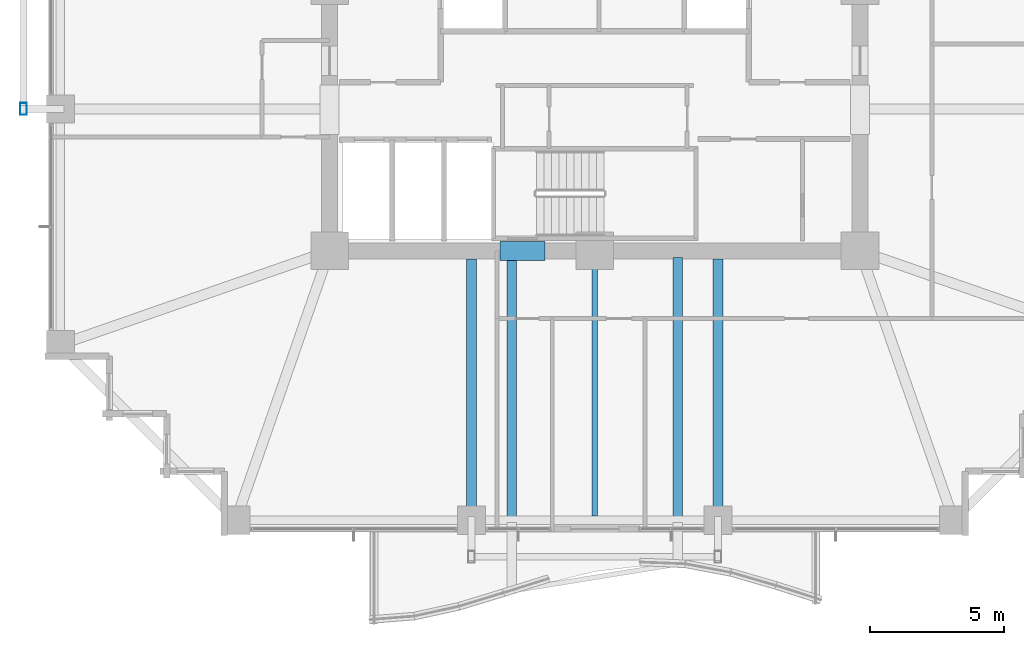
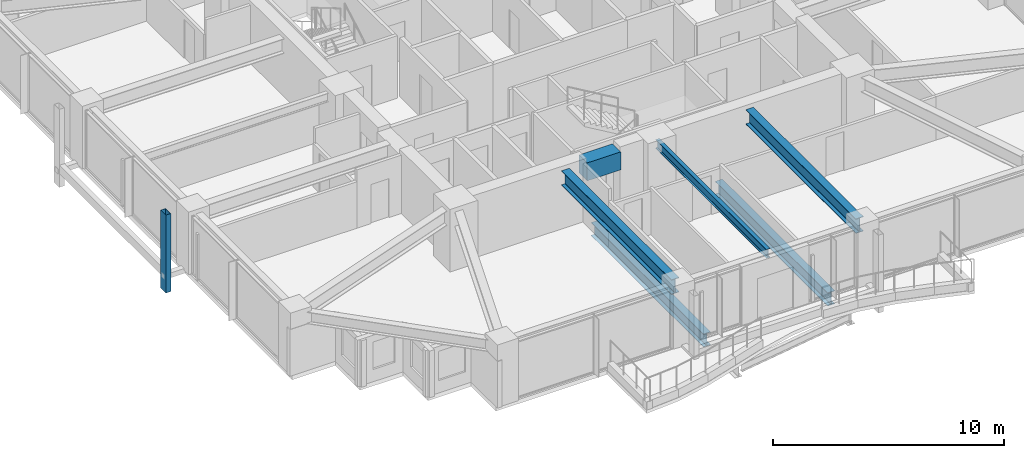
# One storey, part 7 of 38: 6 beams, 1 member.
"""IFC4 building model written with IfcOpenShell, lengths in metres."""

from ifc_helpers import new_model, si_unit, direction, frame, origin, origin_2d, place, context, subcontext, project, spatial, rectangle, hollow_rectangle, i_section, extrude, material, material_profile, profile_set, type_object, element, save


model = new_model("IFC4")

# Units and contexts
model_context = context("Model", 3, precision=1e-05, world=origin(), true_north=direction((0.0, 1.0)))
body_context = subcontext(model_context, "Body", "Model", "MODEL_VIEW")
ifc_project = project(units=[si_unit("LENGTHUNIT", "METRE"), si_unit("AREAUNIT", "SQUARE_METRE"), si_unit("VOLUMEUNIT", "CUBIC_METRE"), si_unit("PLANEANGLEUNIT", "RADIAN"), si_unit("MASSUNIT", "GRAM", prefix="KILO")], contexts=[model_context])

# Site, building, storey
site_placement = place(None, origin())
site = spatial("IfcSite", under=ifc_project, at=site_placement, CompositionType="ELEMENT")
building_placement = place(site_placement, origin())
building = spatial("IfcBuilding", under=site, at=building_placement, Name="Kolvaren Belvedere", CompositionType="ELEMENT")
storey_placement = place(building_placement, frame((0.0, 0.0, 72.199951171875)))
storey = spatial("IfcBuildingStorey", under=building, at=storey_placement, Name="L20", CompositionType="ELEMENT", Elevation=72.199951171875)

# Beams
ifc_material_1 = material(Name="Structural steel ASTM A992 Grade 50", Category="steel")
ifc_material_profile_1 = material_profile(ifc_material_1, i_section(OverallWidth=0.35498046875, OverallDepth=0.696044921875, WebThickness=0.015380859375, FlangeThickness=0.02490234375, FilletRadius=0.02197265625, at=origin_2d()), Name="W27X146")
ifc_profile_set_1 = profile_set([ifc_material_profile_1], Name="Structural steel ASTM A992 Grade 50")
beam_type_1 = type_object("IfcBeamType", Name="BM-GIRD-W27X146", PredefinedType="BEAM", material=ifc_profile_set_1)
for number, where, z_axis, x_axis, name in (
    (1, (-3.10009765625, -10.139892578125, -0.56787109375), (0.0, -1.0, 0.0), (1.0, 0.0, 0.0), "L20 Balcony Interior Back-Span Girder BAL-S-1"),
    (2, (3.10009765625, -10.139892578125, -0.56787109375), (0.0, -1.0, 0.0), (1.0, 0.0, 0.0), "L20 Balcony Interior Back-Span Girder BAL-S-2"),
):
    element("IfcBeam", number, at=place(storey_placement, frame(where, z_axis=z_axis, x_axis=x_axis)), inside=storey, type_object=beam_type_1, Name=name, PredefinedType="BEAM", context=body_context, shape_type="SweptSolid", body=[
        extrude(i_section(OverallWidth=0.35498046875, OverallDepth=0.696044921875, WebThickness=0.015380859375, FlangeThickness=0.02490234375, FilletRadius=0.02197265625, at=origin_2d()), origin(), (0.0, 0.0, 1.0), 9.715087890625),
    ])
ifc_material_2 = material(Name="Structural steel ASTM A992 Grade 50", Category="steel")
ifc_material_profile_2 = material_profile(ifc_material_2, i_section(OverallWidth=0.381103515625, OverallDepth=0.77294921875, WebThickness=0.0166015625, FlangeThickness=0.027099609375, FilletRadius=0.02392578125, at=origin_2d()), Name="W30X173")
ifc_profile_set_2 = profile_set([ifc_material_profile_2], Name="Structural steel ASTM A992 Grade 50")
beam_type_2 = type_object("IfcBeamType", Name="BM-GIRD-W30X173", PredefinedType="BEAM", material=ifc_profile_set_2)
for number, where, z_axis, x_axis, name in (
    (3, (4.60009765625, -10.199951171875, 2.693603515625), (0.0, -1.0, 0.0), (1.0, 0.0, 0.0), "L20 South Radial Girder P"),
    (4, (-4.60009765625, -10.199951171875, 2.693603515625), (0.0, -1.0, 0.0), (1.0, 0.0, 0.0), "L20 South Radial Girder M"),
):
    element("IfcBeam", number, at=place(storey_placement, frame(where, z_axis=z_axis, x_axis=x_axis)), inside=storey, type_object=beam_type_2, Name=name, PredefinedType="BEAM", context=body_context, shape_type="SweptSolid", body=[
        extrude(i_section(OverallWidth=0.381103515625, OverallDepth=0.77294921875, WebThickness=0.0166015625, FlangeThickness=0.027099609375, FilletRadius=0.02392578125, at=origin_2d()), origin(), (0.0, 0.0, 1.0), 9.513916015625),
    ])
ifc_material_3 = material(Name="Structural steel ASTM A992 Grade 50", Category="steel")
ifc_material_profile_3 = material_profile(ifc_material_3, i_section(OverallWidth=0.19091796875, OverallDepth=0.4599609375, WebThickness=0.010009765625, FlangeThickness=0.01611328125, FilletRadius=0.014892578125, at=origin_2d()), Name="W18X55")
ifc_profile_set_3 = profile_set([ifc_material_profile_3], Name="Structural steel ASTM A992 Grade 50")
beam_type_3 = type_object("IfcBeamType", Name="BM-JOIST-W18X55", PredefinedType="BEAM", material=ifc_profile_set_3)
beam_1_placement = place(storey_placement, frame((0.0, -10.199951171875, 2.85009765625), z_axis=(0.0, -1.0, 0.0), x_axis=(1.0, 0.0, 0.0)))
element("IfcBeam", 5, at=beam_1_placement, inside=storey, type_object=beam_type_3, Name="L20 South Centre Floor Beam", PredefinedType="BEAM", context=body_context, shape_type="SweptSolid", body=[
    extrude(i_section(OverallWidth=0.19091796875, OverallDepth=0.4599609375, WebThickness=0.010009765625, FlangeThickness=0.01611328125, FilletRadius=0.014892578125, at=origin_2d()), origin(), (0.0, 0.0, 1.0), 9.587646484375),
])
ifc_material_4 = material(Name="Concrete C60/75", Category="concrete")
ifc_material_profile_4 = material_profile(ifc_material_4, rectangle(XDim=0.699951171875, YDim=0.949951171875, at=origin_2d()), Name="RC 700X950")
ifc_profile_set_4 = profile_set([ifc_material_profile_4], Name="Concrete C60/75")
beam_type_4 = type_object("IfcBeamType", Name="BM-LINT-950", PredefinedType="LINTEL", material=ifc_profile_set_4)
beam_2_placement = place(storey_placement, frame((-3.5400390625, -9.89990234375, 2.60498046875), z_axis=(1.0, 0.0, 0.0), x_axis=(0.0, 1.0, 0.0)))
element("IfcBeam", 6, at=beam_2_placement, inside=storey, type_object=beam_type_4, Name="L20 South Core Coupling Lintel", PredefinedType="LINTEL", context=body_context, shape_type="SweptSolid", body=[
    extrude(rectangle(XDim=0.699951171875, YDim=0.949951171875, at=origin_2d()), origin(), (0.0, 0.0, 1.0), 1.679931640625),
])

# Member
ifc_material_5 = material(Name="Anodised pale-metal aluminium AA 6063-T6", Category="aluminium")
ifc_material_profile_5 = material_profile(ifc_material_5, hollow_rectangle(XDim=0.25, YDim=0.449951171875, WallThickness=0.008544921875, at=origin_2d()), Name="ALU-PF-450X250")
ifc_profile_set_5 = profile_set([ifc_material_profile_5], Name="Anodised pale-metal aluminium AA 6063-T6")
member_type = type_object("IfcMemberType", Name="PF-FRAME-450", PredefinedType="USERDEFINED", material=ifc_profile_set_5)
member_placement = place(storey_placement, frame((-21.320068359375, -4.60009765625, -0.81005859375), z_axis=(0.0, 0.0, 1.0), x_axis=(1.0, 0.0, 0.0)))
element("IfcMember", 7, at=member_placement, inside=storey, type_object=member_type, Name="L20 Outboard Picture-Frame Vertical W1", ObjectType="PICTURE FRAME FIN", PredefinedType="USERDEFINED", context=body_context, shape_type="SweptSolid", body=[
    extrude(hollow_rectangle(XDim=0.25, YDim=0.449951171875, WallThickness=0.008544921875, at=origin_2d()), origin(), (0.0, 0.0, 1.0), 4.110107421875),
])

save(model, "model.ifc")
